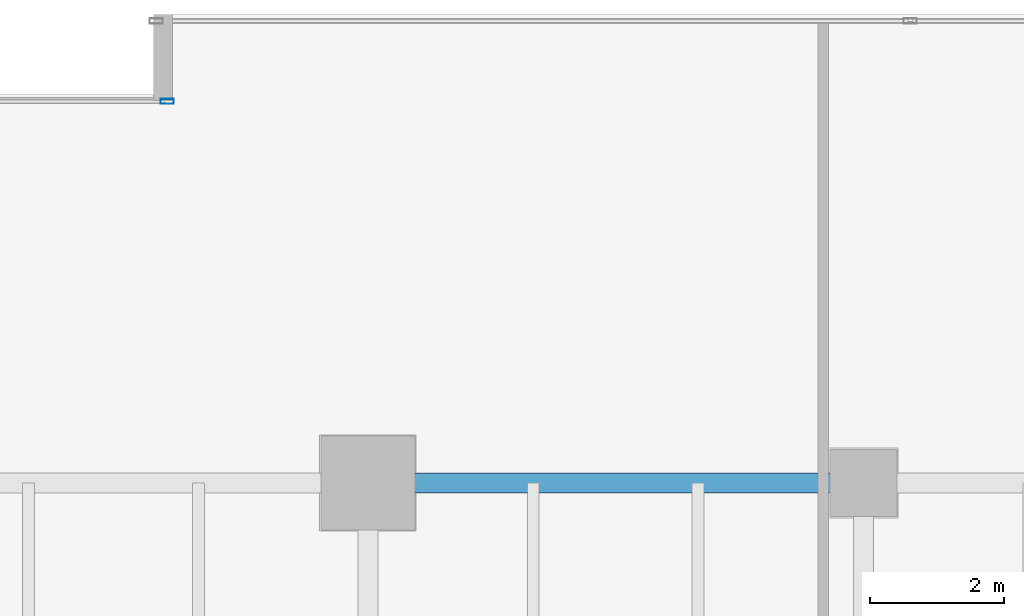
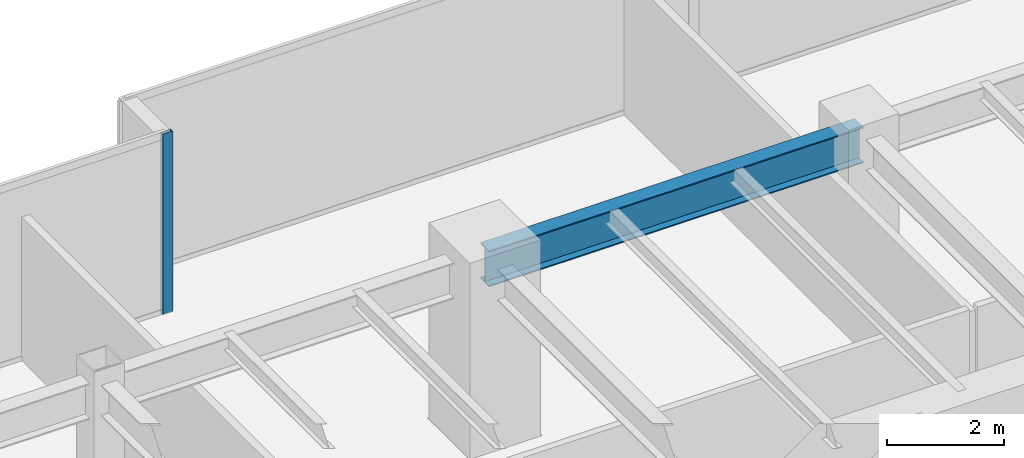
# One storey, part 20 of 37: 1 beam, 1 member, 1 element without a shape of its own.
"""IFC4 building model written with IfcOpenShell, lengths in metres."""

from ifc_helpers import new_model, si_unit, direction, frame, origin, origin_2d, place, context, subcontext, project, spatial, hollow_rectangle, i_section, extrude, source, transform, mapped, material, layer, layer_set, material_profile, profile_set, type_object, type_shapes, element, aggregate, save


model = new_model("IFC4")

# Units and contexts
model_context = context("Model", 3, precision=1e-05, world=origin(), true_north=direction((0.0, 1.0)))
body_context = subcontext(model_context, "Body", "Model", "MODEL_VIEW")
ifc_project = project(units=[si_unit("LENGTHUNIT", "METRE"), si_unit("AREAUNIT", "SQUARE_METRE"), si_unit("VOLUMEUNIT", "CUBIC_METRE"), si_unit("PLANEANGLEUNIT", "RADIAN"), si_unit("MASSUNIT", "GRAM", prefix="KILO")], contexts=[model_context])

# Site, building, storey
site_placement = place(None, origin())
site = spatial("IfcSite", under=ifc_project, at=site_placement, CompositionType="ELEMENT")
building_placement = place(site_placement, origin())
building = spatial("IfcBuilding", under=site, at=building_placement, Name="Haelvirn Gate Laboratories", CompositionType="ELEMENT")
storey_placement = place(building_placement, frame((0.0, 0.0, 78.5)))
storey = spatial("IfcBuildingStorey", under=building, at=storey_placement, Name="L19", CompositionType="ELEMENT", Elevation=78.5)

# Beam
ifc_material_1 = material(Name="Steel SM355", Category="steel")
ifc_material_profile_1 = material_profile(ifc_material_1, i_section(OverallWidth=0.300048828125, OverallDepth=0.75, WebThickness=0.013916015625, FlangeThickness=0.02392578125, at=origin_2d()), Name="H-750x300x14x24")
ifc_profile_set_1 = profile_set([ifc_material_profile_1], Name="Steel SM355")
beam_type = type_object("IfcBeamType", Name="BM-G-750", PredefinedType="BEAM", material=ifc_profile_set_1)
shared_shape_1 = source(origin(), body_context, "Body", "SweptSolid", [
    extrude(i_section(OverallWidth=0.300048828125, OverallDepth=0.75, WebThickness=0.013916015625, FlangeThickness=0.02392578125, at=origin_2d()), origin(), (0.0, 0.0, 1.0), 7.39990234375),
])
type_shapes(beam_type, [shared_shape_1])
beam_placement = place(storey_placement, frame((52.60009765625, 41.60009765625, 3.405029296875), z_axis=(1.0, 0.0, 0.0), x_axis=(0.0, 1.0, 0.0)))
element("IfcBeam", 1, at=beam_placement, inside=storey, type_object=beam_type, Name="L19 Primary Girder Y41.6 (52.6-60.0)", PredefinedType="BEAM", context=body_context, shape_type="MappedRepresentation", body=[
    mapped(shared_shape_1, transform((0.0, 0.0, 0.0), scale=1.0)),
])

# Curtain wall, member
ifc_material_2 = material(Name="Anodised bronze unitised aluminium & triple low-E glass", Category="aluminium")
ifc_layer = layer(ifc_material_2, 0.18408203125, Name="CW-SYS-2")
ifc_layer_set = layer_set([ifc_layer], Name="Anodised bronze unitised aluminium & triple low-E glass")
curtain_wall_type = type_object("IfcCurtainWallType", Name="CW-SYS-2", PredefinedType="NOTDEFINED", material=ifc_layer_set)
curtain_wall_placement = place(storey_placement, origin())
curtain_wall = element("IfcCurtainWall", 2, at=curtain_wall_placement, inside=storey, type_object=curtain_wall_type, Name="L19 Unitised Curtain Wall CW-L19-P0-E12-1", PredefinedType="NOTDEFINED")
ifc_material_3 = material(Name="Extruded aluminium 6063-T6 (anodised bronze)", Category="aluminium")
ifc_material_profile_2 = material_profile(ifc_material_3, hollow_rectangle(XDim=0.074951171875, YDim=0.199951171875, WallThickness=0.0048828125, at=origin_2d()), Name="CWM-200x75x5")
ifc_profile_set_2 = profile_set([ifc_material_profile_2], Name="Extruded aluminium 6063-T6 (anodised bronze)")
member_type = type_object("IfcMemberType", Name="CWM-T200", PredefinedType="MULLION", material=ifc_profile_set_2)
shared_shape_2 = source(origin(), body_context, "Body", "SweptSolid", [
    extrude(hollow_rectangle(XDim=0.074951171875, YDim=0.199951171875, WallThickness=0.0048828125, at=origin_2d()), origin(), (0.0, 0.0, 1.0), 3.780029296875),
])
type_shapes(member_type, [shared_shape_2])
member_placement = place(storey_placement, frame((49.6025390625, 47.300048828125, 0.0), z_axis=(0.0, 0.0, 1.0), x_axis=(0.0, 1.0, 0.0)))
member = element("IfcMember", 3, at=member_placement, type_object=member_type, Name="CW2 mullion 3", PredefinedType="MULLION", context=body_context, shape_type="MappedRepresentation", body=[
    mapped(shared_shape_2, transform((0.0, 0.0, 0.0), scale=1.0)),
])
aggregate(curtain_wall, [member])

save(model, "model.ifc")
